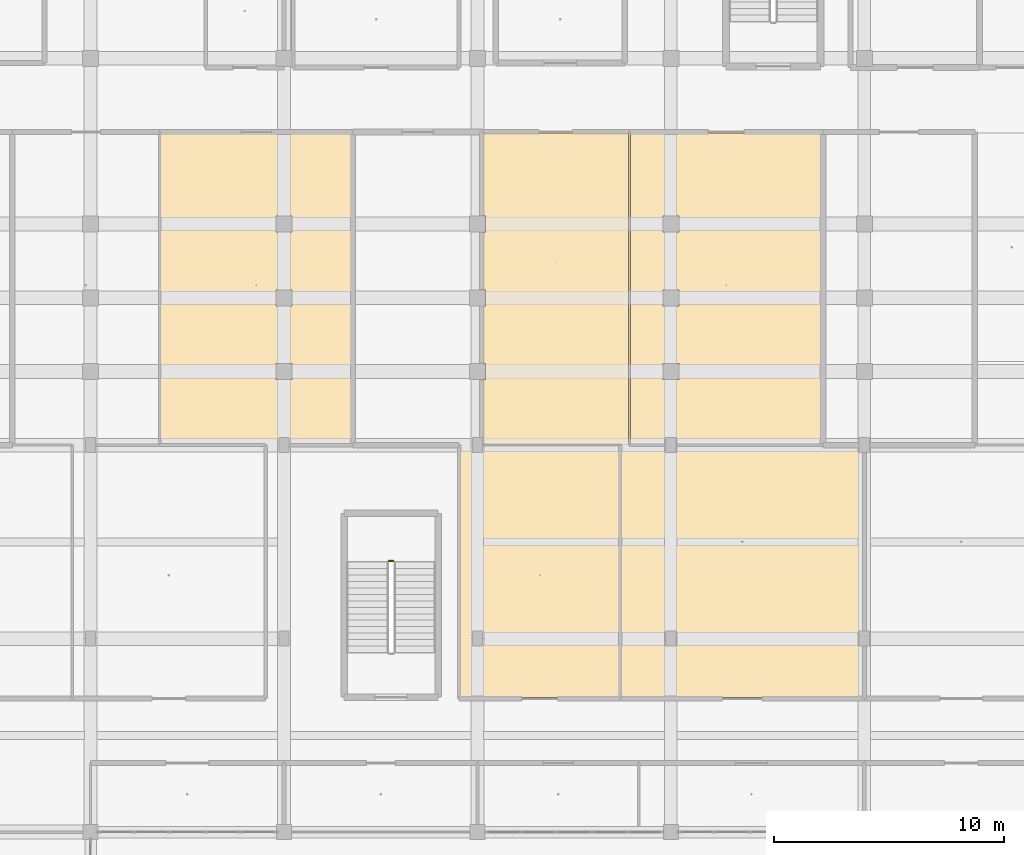
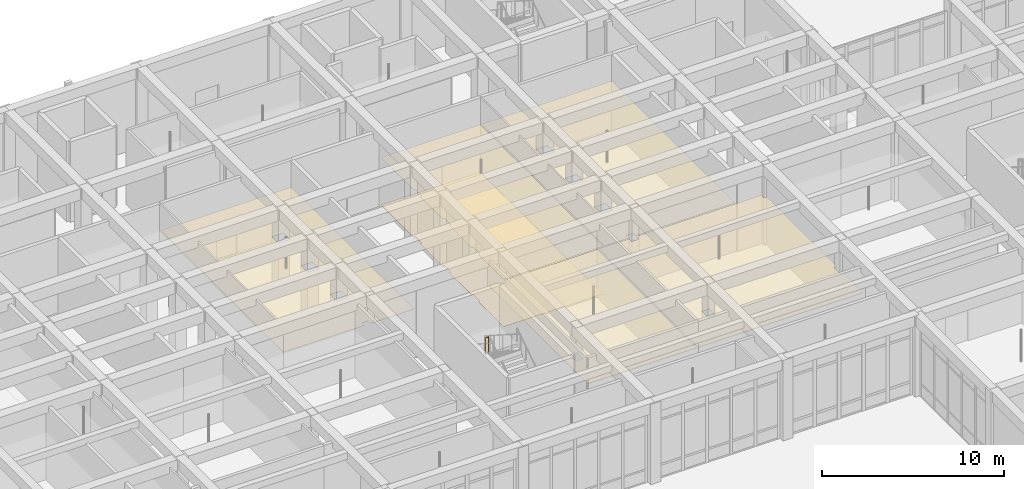
# One storey, part 151 of 167: 6 coverings, 1 railing.
"""IFC4 building model written with IfcOpenShell, lengths in metres."""

from ifc_helpers import new_model, si_unit, direction, frame, origin, origin_2d, place, context, subcontext, project, spatial, polyline, circle, outline, extrude, material, layer, layer_set, type_object, element, save


model = new_model("IFC4")

# Units and contexts
model_context = context("Model", 3, precision=1e-05, world=origin(), true_north=direction((0.0, 1.0)))
body_context = subcontext(model_context, "Body", "Model", "MODEL_VIEW")
ifc_project = project(units=[si_unit("LENGTHUNIT", "METRE"), si_unit("AREAUNIT", "SQUARE_METRE"), si_unit("VOLUMEUNIT", "CUBIC_METRE"), si_unit("PLANEANGLEUNIT", "RADIAN"), si_unit("MASSUNIT", "GRAM", prefix="KILO")], contexts=[model_context])

# Site, building, storey
site_placement = place(None, origin())
site = spatial("IfcSite", under=ifc_project, at=site_placement, CompositionType="ELEMENT")
building_placement = place(site_placement, origin())
building = spatial("IfcBuilding", under=site, at=building_placement, Name="Varncliffe General Hospital", CompositionType="ELEMENT")
storey_placement = place(building_placement, origin())
storey = spatial("IfcBuildingStorey", under=building, at=storey_placement, Name="L00", CompositionType="ELEMENT", Elevation=0.0)

# Coverings
ifc_material_1 = material(Name="Hygienic antimicrobial acoustic suspended ceiling tile", Category="gypsum")
ifc_layer_1 = layer(ifc_material_1, 0.02490234375)
ifc_layer_set_1 = layer_set([ifc_layer_1], Name="Hygienic antimicrobial acoustic suspended ceiling tile")
covering_type_1 = type_object("IfcCoveringType", Name="Antimicrobial Acoustic Suspended Ceiling CLG44", PredefinedType="CEILING", material=ifc_layer_set_1)
covering_1_placement = place(storey_placement, frame((0.0, 0.0, 3.175048828125)))
element("IfcCovering", 1, at=covering_1_placement, inside=storey, type_object=covering_type_1, Name="L00 Nuclear Medicine and Ultrasound Suite 66 Suspended Ceiling", PredefinedType="CEILING", context=body_context, shape_type="SweptSolid", body=[
    extrude(outline(polyline([(48.159912109375, 99.56005859375), (48.159912109375, 88.639892578125), (41.239990234375, 88.639892578125), (41.239990234375, 99.56005859375), (41.77490234375, 99.56005859375), (41.77490234375, 99.27490234375), (42.22509765625, 99.27490234375), (42.22509765625, 99.56005859375), (48.159912109375, 99.56005859375)]), holes=[polyline([(42.22509765625, 90.875), (42.22509765625, 91.52490234375), (41.77490234375, 91.52490234375), (41.77490234375, 90.875), (42.22509765625, 90.875)])]), origin(), (0.0, 0.0, 1.0), 0.02490234375),
])
covering_2_placement = place(storey_placement, frame((0.0, 0.0, 3.175048828125)))
element("IfcCovering", 2, at=covering_2_placement, inside=storey, type_object=covering_type_1, Name="L00 Diagnostic 3T MRI Imaging Suite 67 Suspended Ceiling", PredefinedType="CEILING", context=body_context, shape_type="SweptSolid", body=[
    extrude(outline(polyline([(58.574951171875, 91.52490234375), (58.574951171875, 90.875), (58.760009765625, 90.875), (58.760009765625, 88.639892578125), (48.239990234375, 88.639892578125), (48.239990234375, 99.56005859375), (50.175048828125, 99.56005859375), (50.175048828125, 99.27490234375), (50.625, 99.27490234375), (50.625, 99.56005859375), (58.574951171875, 99.56005859375), (58.574951171875, 99.27490234375), (58.760009765625, 99.27490234375), (58.760009765625, 91.52490234375), (58.574951171875, 91.52490234375)]), holes=[polyline([(50.625, 90.875), (50.625, 91.52490234375), (50.175048828125, 91.52490234375), (50.175048828125, 90.875), (50.625, 90.875)])]), origin(), (0.0, 0.0, 1.0), 0.02490234375),
])
covering_3_placement = place(storey_placement, frame((0.0, 0.0, 3.175048828125)))
element("IfcCovering", 3, at=covering_3_placement, inside=storey, type_object=covering_type_1, Name="L00 Rehabilitation Ambulation Training Room 117 Suspended Ceiling", PredefinedType="CEILING", context=body_context, shape_type="SweptSolid", body=[
    extrude(outline(polyline([(28.239990234375, 99.639892578125), (28.239990234375, 113.159912109375), (36.56005859375, 113.159912109375), (36.56005859375, 99.639892578125), (33.824951171875, 99.639892578125), (33.824951171875, 99.925048828125), (33.375, 99.925048828125), (33.375, 99.639892578125), (28.239990234375, 99.639892578125)]), holes=[polyline([(33.949951171875, 102.449951171875), (33.949951171875, 103.14990234375), (33.25, 103.14990234375), (33.25, 102.449951171875), (33.949951171875, 102.449951171875)]), polyline([(33.949951171875, 105.64990234375), (33.949951171875, 106.35009765625), (33.25, 106.35009765625), (33.25, 105.64990234375), (33.949951171875, 105.64990234375)]), polyline([(33.949951171875, 108.85009765625), (33.949951171875, 109.550048828125), (33.25, 109.550048828125), (33.25, 108.85009765625), (33.949951171875, 108.85009765625)])]), origin(), (0.0, 0.0, 1.0), 0.02490234375),
])
covering_4_placement = place(storey_placement, frame((0.0, 0.0, 3.175048828125)))
element("IfcCovering", 4, at=covering_4_placement, inside=storey, type_object=covering_type_1, Name="L00 Outpatient Phlebotomy and Pre-Admission Clinic 119 Suspended Ceiling", PredefinedType="CEILING", context=body_context, shape_type="SweptSolid", body=[
    extrude(outline(polyline([(48.56005859375, 99.639892578125), (42.239990234375, 99.639892578125), (42.239990234375, 102.449951171875), (42.35009765625, 102.449951171875), (42.35009765625, 103.14990234375), (42.239990234375, 103.14990234375), (42.239990234375, 105.64990234375), (42.35009765625, 105.64990234375), (42.35009765625, 106.35009765625), (42.239990234375, 106.35009765625), (42.239990234375, 108.85009765625), (42.35009765625, 108.85009765625), (42.35009765625, 109.550048828125), (42.239990234375, 109.550048828125), (42.239990234375, 113.159912109375), (48.56005859375, 113.159912109375), (48.56005859375, 99.639892578125)])), origin(), (0.0, 0.0, 1.0), 0.02490234375),
])
covering_5_placement = place(storey_placement, frame((0.0, 0.0, 3.175048828125)))
element("IfcCovering", 5, at=covering_5_placement, inside=storey, type_object=covering_type_1, Name="L00 Rehabilitation Ambulation Training Room 120 Suspended Ceiling", PredefinedType="CEILING", context=body_context, shape_type="SweptSolid", body=[
    extrude(outline(polyline([(48.639892578125, 99.639892578125), (48.639892578125, 113.159912109375), (56.9599609375, 113.159912109375), (56.9599609375, 99.639892578125), (50.625, 99.639892578125), (50.625, 99.925048828125), (50.175048828125, 99.925048828125), (50.175048828125, 99.639892578125), (48.639892578125, 99.639892578125)]), holes=[polyline([(50.75, 102.449951171875), (50.75, 103.14990234375), (50.050048828125, 103.14990234375), (50.050048828125, 102.449951171875), (50.75, 102.449951171875)]), polyline([(50.75, 105.64990234375), (50.75, 106.35009765625), (50.050048828125, 106.35009765625), (50.050048828125, 105.64990234375), (50.75, 105.64990234375)]), polyline([(50.75, 108.85009765625), (50.75, 109.550048828125), (50.050048828125, 109.550048828125), (50.050048828125, 108.85009765625), (50.75, 108.85009765625)])]), origin(), (0.0, 0.0, 1.0), 0.02490234375),
])
ifc_material_2 = material(Name="Seamless welded hospital sheet linoleum and terrazzo flooring", Category="linoleum")
ifc_layer_2 = layer(ifc_material_2, 0.011962890625)
ifc_layer_set_2 = layer_set([ifc_layer_2], Name="Seamless welded hospital sheet linoleum and terrazzo flooring")
covering_type_2 = type_object("IfcCoveringType", Name="Seamless Hospital Linoleum Flooring FLR19", PredefinedType="FLOORING", material=ifc_layer_set_2)
covering_6_placement = place(storey_placement, origin())
element("IfcCovering", 6, at=covering_6_placement, inside=storey, type_object=covering_type_2, Name="L00 Outpatient Phlebotomy and Pre-Admission Clinic 119 Seamless Flooring", PredefinedType="FLOORING", context=body_context, shape_type="SweptSolid", body=[
    extrude(outline(polyline([(48.56005859375, 99.639892578125), (42.239990234375, 99.639892578125), (42.239990234375, 102.449951171875), (42.35009765625, 102.449951171875), (42.35009765625, 103.14990234375), (42.239990234375, 103.14990234375), (42.239990234375, 105.64990234375), (42.35009765625, 105.64990234375), (42.35009765625, 106.35009765625), (42.239990234375, 106.35009765625), (42.239990234375, 108.85009765625), (42.35009765625, 108.85009765625), (42.35009765625, 109.550048828125), (42.239990234375, 109.550048828125), (42.239990234375, 113.159912109375), (48.56005859375, 113.159912109375), (48.56005859375, 99.639892578125)])), origin(), (0.0, 0.0, 1.0), 0.011962890625),
])

# Railing
ifc_material_3 = material(Name="Powder-coated hospital steel guardrail and handrail", Category="steel")
railing_type = type_object("IfcRailingType", Name="Stairwell Guardrail SG49", PredefinedType="GUARDRAIL", material=ifc_material_3)
railing_placement = place(storey_placement, frame((38.35009765625, 94.570068359375, 2.699951171875)))
element("IfcRailing", 7, at=railing_placement, inside=storey, type_object=railing_type, Name="L00 ST13 stair guard 2", PredefinedType="GUARDRAIL", context=body_context, shape_type="SweptSolid", body=[
    extrude(circle(Radius=0.02392578125, at=origin_2d()), frame((0.0, 0.0, 1.076171875), z_axis=(-1.0, 0.0, 0.0), x_axis=(0.0, -1.0, 0.0)), (0.0, 0.0, 1.0), 0.2001953125),
    extrude(circle(Radius=0.02099609375, at=origin_2d()), origin(), (0.0, 0.0, 1.0), 1.052001953125),
    extrude(circle(Radius=0.02099609375, at=origin_2d()), frame((-0.2001953125, 0.0, 0.0)), (0.0, 0.0, 1.0), 1.052001953125),
])

save(model, "model.ifc")
